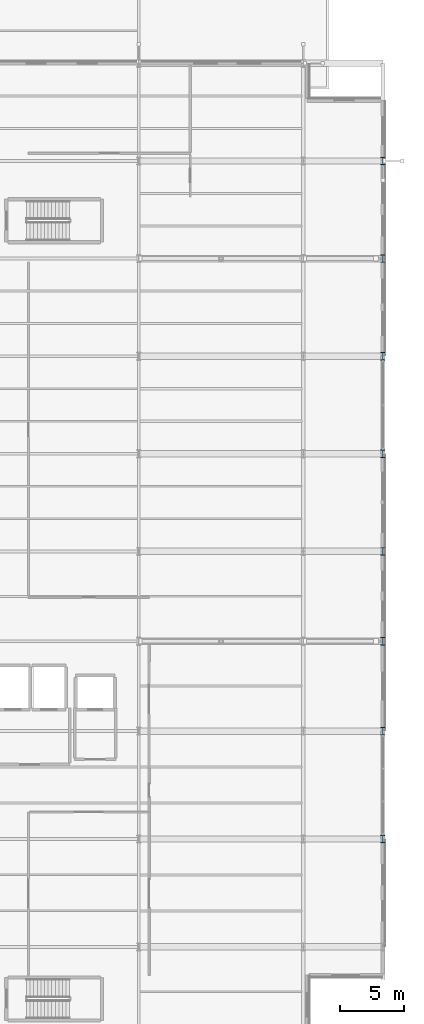
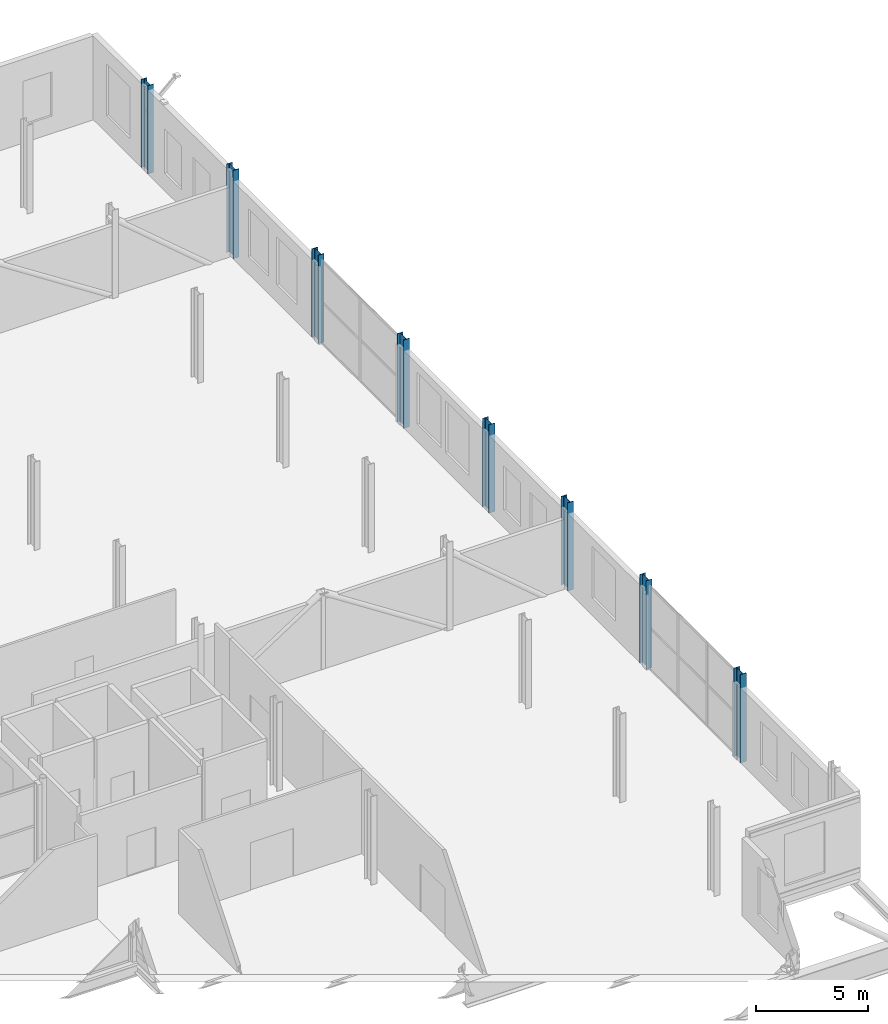
# One storey, part 15 of 120: 8 columns.
"""IFC4 building model written with IfcOpenShell, lengths in metres."""

from ifc_helpers import new_model, si_unit, direction, frame, origin, origin_2d, place, context, subcontext, project, spatial, i_section, extrude, material, material_profile, profile_set, type_object, element, save


model = new_model("IFC4")

# Units and contexts
model_context = context("Model", 3, precision=1e-05, world=origin(), true_north=direction((0.0, 1.0)))
body_context = subcontext(model_context, "Body", "Model", "MODEL_VIEW")
ifc_project = project(units=[si_unit("LENGTHUNIT", "METRE"), si_unit("AREAUNIT", "SQUARE_METRE"), si_unit("VOLUMEUNIT", "CUBIC_METRE"), si_unit("PLANEANGLEUNIT", "RADIAN"), si_unit("MASSUNIT", "GRAM", prefix="KILO")], contexts=[model_context])

# Site, building, storey
site_placement = place(None, origin())
site = spatial("IfcSite", under=ifc_project, at=site_placement, CompositionType="ELEMENT")
building_placement = place(site_placement, origin())
building = spatial("IfcBuilding", under=site, at=building_placement, Name="Vekula Escarpment Museum", CompositionType="ELEMENT")
storey_placement = place(building_placement, frame((0.0, 0.0, 13.199951171875)))
storey = spatial("IfcBuildingStorey", under=building, at=storey_placement, Name="L03", CompositionType="ELEMENT", Elevation=13.199951171875)

# Columns
ifc_material = material(Name="Steel S355", Category="steel")
ifc_material_profile = material_profile(ifc_material, i_section(OverallWidth=0.300048828125, OverallDepth=0.60009765625, WebThickness=0.015380859375, FlangeThickness=0.030029296875, FilletRadius=0.027099609375, at=origin_2d()), Name="HEB 600")
ifc_profile_set = profile_set([ifc_material_profile], Name="Steel S355")
column_type = type_object("IfcColumnType", Name="COL-S-HEB600", PredefinedType="COLUMN", material=ifc_profile_set)
for number, where, z_axis, x_axis, name in (
    (1, (198.0, 68.0, 0.0), (0.0, 0.0, 1.0), (1.0, 0.0, 0.0), "Column L03 (198.0,68.0)"),
    (2, (198.0, 76.39990234375, 0.0), (0.0, 0.0, 1.0), (1.0, 0.0, 0.0), "Column L03 (198.0,76.4)"),
    (3, (198.0, 83.39990234375, 0.0), (0.0, 0.0, 1.0), (1.0, 0.0, 0.0), "Column L03 (198.0,83.4)"),
    (4, (198.0, 90.39990234375, 0.0), (0.0, 0.0, 1.0), (1.0, 0.0, 0.0), "Column L03 (198.0,90.4)"),
    (5, (198.0, 98.0, 0.0), (0.0, 0.0, 1.0), (1.0, 0.0, 0.0), "Column L03 (198.0,98.0)"),
    (6, (198.0, 105.60009765625, 0.0), (0.0, 0.0, 1.0), (1.0, 0.0, 0.0), "Column L03 (198.0,105.6)"),
    (7, (198.0, 113.199951171875, 0.0), (0.0, 0.0, 1.0), (1.0, 0.0, 0.0), "Column L03 (198.0,113.2)"),
    (8, (198.0, 120.800048828125, 0.0), (0.0, 0.0, 1.0), (1.0, 0.0, 0.0), "Column L03 (198.0,120.8)"),
):
    element("IfcColumn", number, at=place(storey_placement, frame(where, z_axis=z_axis, x_axis=x_axis)), inside=storey, type_object=column_type, Name=name, PredefinedType="COLUMN", context=body_context, shape_type="SweptSolid", body=[
        extrude(i_section(OverallWidth=0.300048828125, OverallDepth=0.60009765625, WebThickness=0.015380859375, FlangeThickness=0.030029296875, FilletRadius=0.027099609375, at=origin_2d()), origin(), (0.0, 0.0, 1.0), 4.800048828125),
    ])

save(model, "model.ifc")
